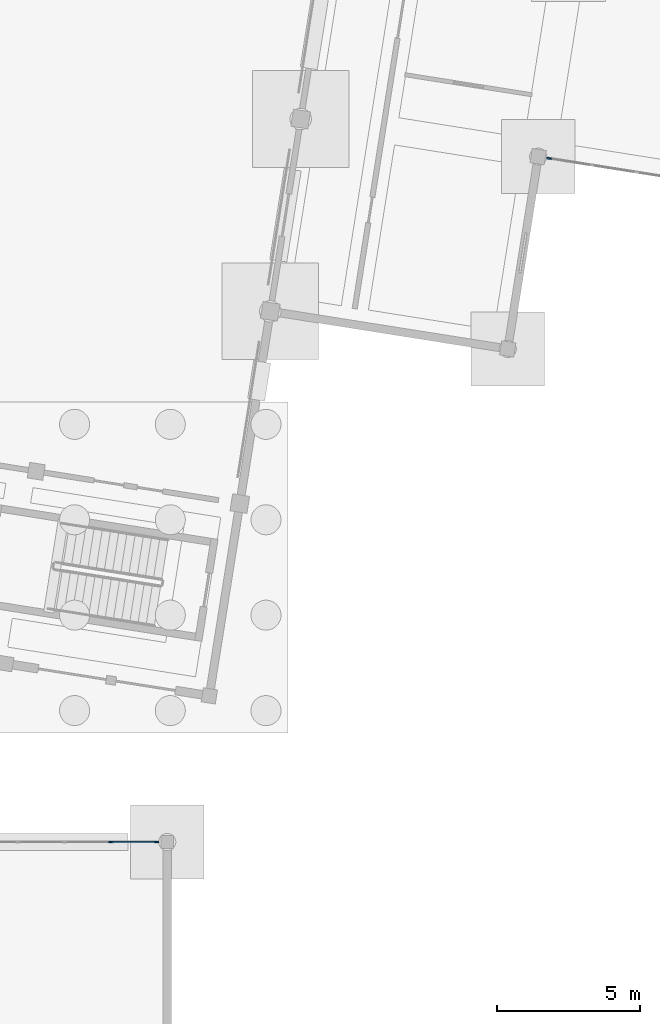
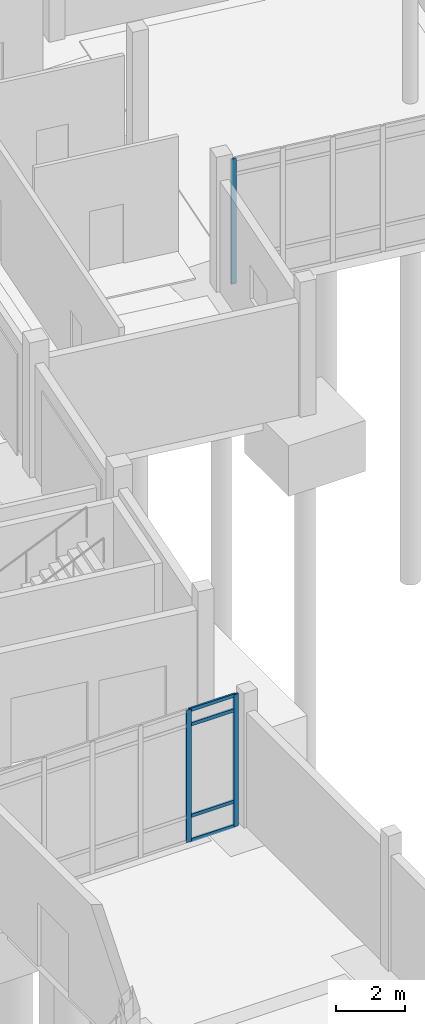
# One storey, part 25 of 72: 7 members, 2 elements without a shape of their own.
"""IFC4 building model written with IfcOpenShell, lengths in metres."""

from ifc_helpers import new_model, si_unit, direction, frame, origin, origin_2d, place, context, subcontext, project, spatial, rectangle, extrude, material, material_profile, profile_set, type_object, element, aggregate, save


model = new_model("IFC4")

# Units and contexts
model_context = context("Model", 3, precision=1e-05, world=origin(), true_north=direction((0.0, 1.0)))
body_context = subcontext(model_context, "Body", "Model", "MODEL_VIEW")
ifc_project = project(units=[si_unit("LENGTHUNIT", "METRE"), si_unit("AREAUNIT", "SQUARE_METRE"), si_unit("VOLUMEUNIT", "CUBIC_METRE"), si_unit("PLANEANGLEUNIT", "RADIAN"), si_unit("MASSUNIT", "GRAM", prefix="KILO")], contexts=[model_context])

# Site, building, storey
site_placement = place(None, origin())
site = spatial("IfcSite", under=ifc_project, at=site_placement, CompositionType="ELEMENT")
building_placement = place(site_placement, origin())
building = spatial("IfcBuilding", under=site, at=building_placement, Name="Cinderway Yard Community Centre", CompositionType="ELEMENT")
storey_placement = place(building_placement, origin())
storey = spatial("IfcBuildingStorey", under=building, at=storey_placement, Name="L00", CompositionType="ELEMENT", Elevation=0.0)

# Curtain wall, member
ifc_material = material(Name="Aluminium 6063-T6", Category="aluminium")
curtain_wall_type_1 = type_object("IfcCurtainWallType", Name="ENV-CW-TYPE-20", PredefinedType="USERDEFINED", material=ifc_material)
curtain_wall_1_placement = place(storey_placement, origin())
curtain_wall_1 = element("IfcCurtainWall", 1, at=curtain_wall_1_placement, inside=storey, type_object=curtain_wall_type_1, Name="East Entrance Pavilion Curtain Wall ENV-CW-L00-ST-0069", ObjectType="GLAZED CURTAIN WALL", PredefinedType="USERDEFINED")
ifc_material_profile_1 = material_profile(ifc_material, rectangle(XDim=0.06005859375, YDim=0.159912109375, at=origin_2d()), Name="Aluminium 6063-T6")
ifc_profile_set_1 = profile_set([ifc_material_profile_1], Name="Aluminium 6063-T6")
member_type_1 = type_object("IfcMemberType", Name="ENV-CW-MULL-150", PredefinedType="MULLION", material=ifc_profile_set_1)
member_1_placement = place(storey_placement, frame((150.133544921875, 46.680419921875, 0.0), z_axis=(0.0, 0.0, 1.0), x_axis=(0.156410235851, 0.987692177817, 0.0)))
member_1 = element("IfcMember", 2, at=member_1_placement, type_object=member_type_1, Name="CW-20 mullion 1", PredefinedType="MULLION", context=body_context, shape_type="SweptSolid", body=[
    extrude(rectangle(XDim=0.06005859375, YDim=0.159912109375, at=origin_2d()), origin(), (0.0, 0.0, 1.0), 4.449951171875),
])
aggregate(curtain_wall_1, [member_1])

# Curtain wall, members
curtain_wall_type_2 = type_object("IfcCurtainWallType", Name="ENV-CW-TYPE-35", PredefinedType="USERDEFINED", material=ifc_material)
curtain_wall_2_placement = place(storey_placement, origin())
curtain_wall_2 = element("IfcCurtainWall", 3, at=curtain_wall_2_placement, inside=storey, type_object=curtain_wall_type_2, Name="East Arcade Kiosk Curtain Wall ENV-CW-L00-ST-0199", ObjectType="GLAZED CURTAIN WALL", PredefinedType="USERDEFINED")
member_2_placement = place(storey_placement, frame((134.830078125, 22.800048828125, 0.0), z_axis=(0.0, 0.0, 1.0), x_axis=(0.0, 1.0, 0.0)))
member_2 = element("IfcMember", 4, at=member_2_placement, type_object=member_type_1, Name="CW-35 mullion 5", PredefinedType="MULLION", context=body_context, shape_type="SweptSolid", body=[
    extrude(rectangle(XDim=0.06005859375, YDim=0.159912109375, at=origin_2d()), origin(), (0.0, 0.0, 1.0), 4.699951171875),
])
member_3_placement = place(storey_placement, frame((136.419921875, 22.800048828125, 0.0), z_axis=(0.0, 0.0, 1.0), x_axis=(0.0, 1.0, 0.0)))
member_3 = element("IfcMember", 5, at=member_3_placement, type_object=member_type_1, Name="CW-35 mullion 6", PredefinedType="MULLION", context=body_context, shape_type="SweptSolid", body=[
    extrude(rectangle(XDim=0.06005859375, YDim=0.159912109375, at=origin_2d()), origin(), (0.0, 0.0, 1.0), 4.699951171875),
])
ifc_material_profile_2 = material_profile(ifc_material, rectangle(XDim=0.06005859375, YDim=0.1201171875, at=origin_2d()), Name="Aluminium 6063-T6")
ifc_profile_set_2 = profile_set([ifc_material_profile_2], Name="Aluminium 6063-T6")
member_type_2 = type_object("IfcMemberType", Name="ENV-CW-TRAN-110", PredefinedType="USERDEFINED", material=ifc_profile_set_2)
member_4_placement = place(storey_placement, frame((134.860107421875, 22.800048828125, 0.030029296875), z_axis=(1.0, 0.0, 0.0), x_axis=(0.0, 1.0, 0.0)))
member_4 = element("IfcMember", 6, at=member_4_placement, type_object=member_type_2, Name="CW-35 transom 5.1", ObjectType="TRANSOM", PredefinedType="USERDEFINED", context=body_context, shape_type="SweptSolid", body=[
    extrude(rectangle(XDim=0.06005859375, YDim=0.1201171875, at=origin_2d()), origin(), (0.0, 0.0, 1.0), 1.52978515625),
])
member_5_placement = place(storey_placement, frame((134.860107421875, 22.800048828125, 0.89990234375), z_axis=(1.0, 0.0, 0.0), x_axis=(0.0, 1.0, 0.0)))
member_5 = element("IfcMember", 7, at=member_5_placement, type_object=member_type_2, Name="CW-35 transom 5.2", ObjectType="TRANSOM", PredefinedType="USERDEFINED", context=body_context, shape_type="SweptSolid", body=[
    extrude(rectangle(XDim=0.06005859375, YDim=0.1201171875, at=origin_2d()), origin(), (0.0, 0.0, 1.0), 1.52978515625),
])
member_6_placement = place(storey_placement, frame((134.860107421875, 22.800048828125, 4.14990234375), z_axis=(1.0, 0.0, 0.0), x_axis=(0.0, 1.0, 0.0)))
member_6 = element("IfcMember", 8, at=member_6_placement, type_object=member_type_2, Name="CW-35 transom 5.3", ObjectType="TRANSOM", PredefinedType="USERDEFINED", context=body_context, shape_type="SweptSolid", body=[
    extrude(rectangle(XDim=0.06005859375, YDim=0.1201171875, at=origin_2d()), origin(), (0.0, 0.0, 1.0), 1.52978515625),
])
member_7_placement = place(storey_placement, frame((134.860107421875, 22.800048828125, 4.669921875), z_axis=(1.0, 0.0, 0.0), x_axis=(0.0, 1.0, 0.0)))
member_7 = element("IfcMember", 9, at=member_7_placement, type_object=member_type_2, Name="CW-35 transom 5.4", ObjectType="TRANSOM", PredefinedType="USERDEFINED", context=body_context, shape_type="SweptSolid", body=[
    extrude(rectangle(XDim=0.06005859375, YDim=0.1201171875, at=origin_2d()), origin(), (0.0, 0.0, 1.0), 1.52978515625),
])
aggregate(curtain_wall_2, [member_2, member_3, member_4, member_5, member_6, member_7])

save(model, "model.ifc")
